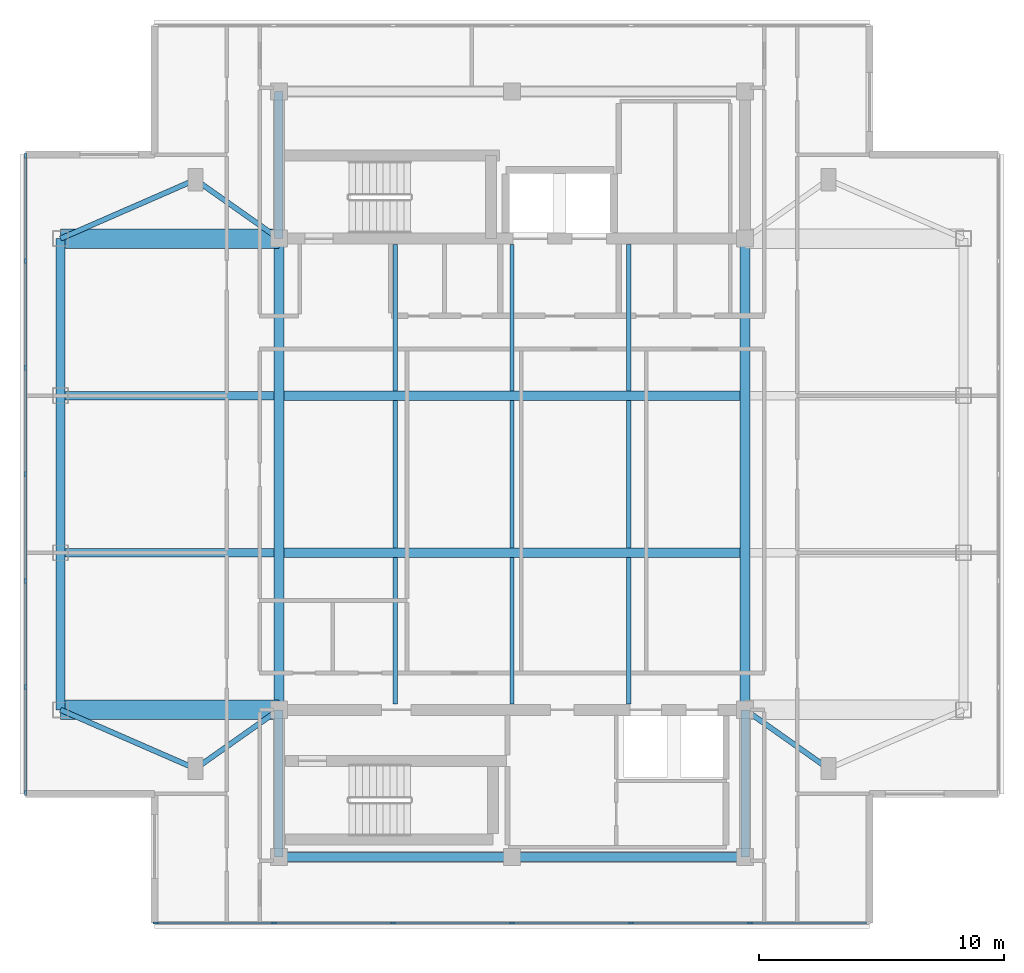
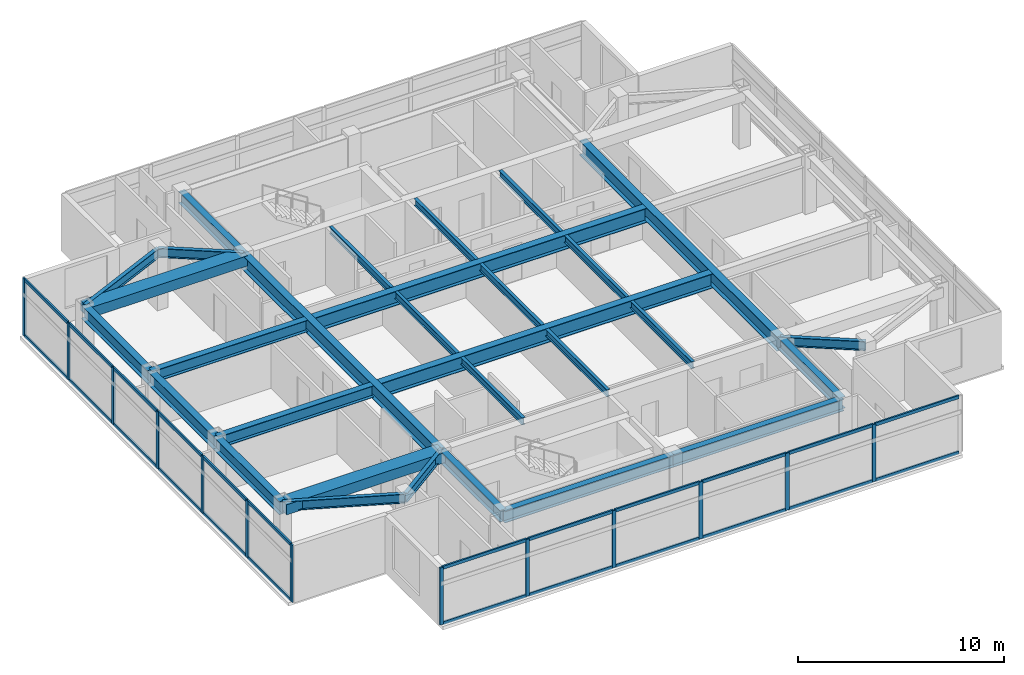
# One storey, part 2 of 10: 37 members, 30 beams, 2 elements without a shape of their own.
"""IFC4 building model written with IfcOpenShell, lengths in metres."""

from ifc_helpers import new_model, si_unit, direction, frame, origin, origin_2d, place, context, subcontext, project, spatial, rectangle, i_section, extrude, material, material_profile, profile_set, type_object, element, aggregate, save


model = new_model("IFC4")

# Units and contexts
model_context = context("Model", 3, precision=1e-05, world=origin(), true_north=direction((0.0, 1.0)))
body_context = subcontext(model_context, "Body", "Model", "MODEL_VIEW")
ifc_project = project(units=[si_unit("LENGTHUNIT", "METRE"), si_unit("AREAUNIT", "SQUARE_METRE"), si_unit("VOLUMEUNIT", "CUBIC_METRE"), si_unit("PLANEANGLEUNIT", "RADIAN"), si_unit("MASSUNIT", "GRAM", prefix="KILO")], contexts=[model_context])

# Site, building, storey
site_placement = place(None, origin())
site = spatial("IfcSite", under=ifc_project, at=site_placement, CompositionType="ELEMENT")
building_placement = place(site_placement, origin())
building = spatial("IfcBuilding", under=site, at=building_placement, Name="Mirazonda Arch Towers", CompositionType="ELEMENT")
storey_placement = place(building_placement, frame((0.0, 0.0, 249.10009765625)))
storey = spatial("IfcBuildingStorey", under=building, at=storey_placement, Name="L71", CompositionType="ELEMENT", Elevation=249.10009765625)

# Beams
ifc_material_1 = material(Name="Steel ASTM A992 Grade 50", Category="steel")
ifc_material_profile_1 = material_profile(ifc_material_1, i_section(OverallWidth=0.381103515625, OverallDepth=0.77294921875, WebThickness=0.0166015625, FlangeThickness=0.027099609375, at=origin_2d()), Name="W30X173")
ifc_profile_set_1 = profile_set([ifc_material_profile_1], Name="Steel ASTM A992 Grade 50")
beam_type_1 = type_object("IfcBeamType", Name="BM-EXT-W30X173", PredefinedType="USERDEFINED", material=ifc_profile_set_1)
beam_1_placement = place(storey_placement, frame((2.10009765625, 18.39990234375, 3.013427734375), z_axis=(0.0, 1.0, 0.0), x_axis=(-1.0, 0.0, 0.0)))
element("IfcBeam", 1, at=beam_1_placement, inside=storey, type_object=beam_type_1, Name="L71 Floor Beam BM-T1-L71-NS-W-18", ObjectType="GIRDER", PredefinedType="USERDEFINED", context=body_context, shape_type="SweptSolid", body=[
    extrude(i_section(OverallWidth=0.381103515625, OverallDepth=0.77294921875, WebThickness=0.0166015625, FlangeThickness=0.027099609375, at=origin_2d()), origin(), (0.0, 0.0, 1.0), 6.400146484375),
])
beam_2_placement = place(storey_placement, frame((2.10009765625, 24.800048828125, 3.013427734375), z_axis=(0.0, 1.0, 0.0), x_axis=(-1.0, 0.0, 0.0)))
element("IfcBeam", 2, at=beam_2_placement, inside=storey, type_object=beam_type_1, Name="L71 Floor Beam BM-T1-L71-NS-W-24", ObjectType="GIRDER", PredefinedType="USERDEFINED", context=body_context, shape_type="SweptSolid", body=[
    extrude(i_section(OverallWidth=0.381103515625, OverallDepth=0.77294921875, WebThickness=0.0166015625, FlangeThickness=0.027099609375, at=origin_2d()), origin(), (0.0, 0.0, 1.0), 6.39990234375),
])
beam_3_placement = place(storey_placement, frame((2.10009765625, 31.199951171875, 3.013427734375), z_axis=(0.0, 1.0, 0.0), x_axis=(-1.0, 0.0, 0.0)))
element("IfcBeam", 3, at=beam_3_placement, inside=storey, type_object=beam_type_1, Name="L71 Floor Beam BM-T1-L71-NS-W-31", ObjectType="GIRDER", PredefinedType="USERDEFINED", context=body_context, shape_type="SweptSolid", body=[
    extrude(i_section(OverallWidth=0.381103515625, OverallDepth=0.77294921875, WebThickness=0.0166015625, FlangeThickness=0.027099609375, at=origin_2d()), origin(), (0.0, 0.0, 1.0), 6.400146484375),
])
ifc_material_profile_2 = material_profile(ifc_material_1, i_section(OverallWidth=0.180908203125, OverallDepth=0.4169921875, WebThickness=0.010986328125, FlangeThickness=0.018310546875, at=origin_2d()), Name="W16X57")
ifc_profile_set_2 = profile_set([ifc_material_profile_2], Name="Steel ASTM A992 Grade 50")
beam_type_2 = type_object("IfcBeamType", Name="BM-INT-W16X57", PredefinedType="JOIST", material=ifc_profile_set_2)
for number, where, z_axis, x_axis, name in (
    (4, (15.75, 18.639892578125, 3.19140625), (0.0, 1.0, 0.0), (-1.0, 0.0, 0.0), "L71 Floor Beam BM-T1-L71-J-157-18"),
    (5, (15.75, 31.39599609375, 3.19140625), (0.0, 1.0, 0.0), (-1.0, 0.0, 0.0), "L71 Floor Beam BM-T1-L71-J-157-31"),
):
    element("IfcBeam", number, at=place(storey_placement, frame(where, z_axis=z_axis, x_axis=x_axis)), inside=storey, type_object=beam_type_2, Name=name, PredefinedType="JOIST", context=body_context, shape_type="SweptSolid", body=[
        extrude(i_section(OverallWidth=0.180908203125, OverallDepth=0.4169921875, WebThickness=0.010986328125, FlangeThickness=0.018310546875, at=origin_2d()), origin(), (0.0, 0.0, 1.0), 5.964111328125),
    ])
beam_4_placement = place(storey_placement, frame((15.75, 24.99609375, 3.19140625), z_axis=(0.0, 1.0, 0.0), x_axis=(-1.0, 0.0, 0.0)))
element("IfcBeam", 6, at=beam_4_placement, inside=storey, type_object=beam_type_2, Name="L71 Floor Beam BM-T1-L71-J-157-24", PredefinedType="JOIST", context=body_context, shape_type="SweptSolid", body=[
    extrude(i_section(OverallWidth=0.180908203125, OverallDepth=0.4169921875, WebThickness=0.010986328125, FlangeThickness=0.018310546875, at=origin_2d()), origin(), (0.0, 0.0, 1.0), 6.0078125),
])
for number, where, z_axis, x_axis, name in (
    (7, (20.5, 18.639892578125, 3.19140625), (0.0, 1.0, 0.0), (-1.0, 0.0, 0.0), "L71 Floor Beam BM-T1-L71-J-205-18"),
    (8, (20.5, 31.39599609375, 3.19140625), (0.0, 1.0, 0.0), (-1.0, 0.0, 0.0), "L71 Floor Beam BM-T1-L71-J-205-31"),
):
    element("IfcBeam", number, at=place(storey_placement, frame(where, z_axis=z_axis, x_axis=x_axis)), inside=storey, type_object=beam_type_2, Name=name, PredefinedType="JOIST", context=body_context, shape_type="SweptSolid", body=[
        extrude(i_section(OverallWidth=0.180908203125, OverallDepth=0.4169921875, WebThickness=0.010986328125, FlangeThickness=0.018310546875, at=origin_2d()), origin(), (0.0, 0.0, 1.0), 5.964111328125),
    ])
beam_5_placement = place(storey_placement, frame((20.5, 24.99609375, 3.19140625), z_axis=(0.0, 1.0, 0.0), x_axis=(-1.0, 0.0, 0.0)))
element("IfcBeam", 9, at=beam_5_placement, inside=storey, type_object=beam_type_2, Name="L71 Floor Beam BM-T1-L71-J-205-24", PredefinedType="JOIST", context=body_context, shape_type="SweptSolid", body=[
    extrude(i_section(OverallWidth=0.180908203125, OverallDepth=0.4169921875, WebThickness=0.010986328125, FlangeThickness=0.018310546875, at=origin_2d()), origin(), (0.0, 0.0, 1.0), 6.0078125),
])
for number, where, z_axis, x_axis, name in (
    (10, (25.25, 18.639892578125, 3.19140625), (0.0, 1.0, 0.0), (-1.0, 0.0, 0.0), "L71 Floor Beam BM-T1-L71-J-252-18"),
    (11, (25.25, 31.39599609375, 3.19140625), (0.0, 1.0, 0.0), (-1.0, 0.0, 0.0), "L71 Floor Beam BM-T1-L71-J-252-31"),
):
    element("IfcBeam", number, at=place(storey_placement, frame(where, z_axis=z_axis, x_axis=x_axis)), inside=storey, type_object=beam_type_2, Name=name, PredefinedType="JOIST", context=body_context, shape_type="SweptSolid", body=[
        extrude(i_section(OverallWidth=0.180908203125, OverallDepth=0.4169921875, WebThickness=0.010986328125, FlangeThickness=0.018310546875, at=origin_2d()), origin(), (0.0, 0.0, 1.0), 5.964111328125),
    ])
beam_6_placement = place(storey_placement, frame((25.25, 24.99609375, 3.19140625), z_axis=(0.0, 1.0, 0.0), x_axis=(-1.0, 0.0, 0.0)))
element("IfcBeam", 12, at=beam_6_placement, inside=storey, type_object=beam_type_2, Name="L71 Floor Beam BM-T1-L71-J-252-24", PredefinedType="JOIST", context=body_context, shape_type="SweptSolid", body=[
    extrude(i_section(OverallWidth=0.180908203125, OverallDepth=0.4169921875, WebThickness=0.010986328125, FlangeThickness=0.018310546875, at=origin_2d()), origin(), (0.0, 0.0, 1.0), 6.0078125),
])
ifc_material_profile_3 = material_profile(ifc_material_1, i_section(OverallWidth=0.214111328125, OverallDepth=0.549072265625, WebThickness=0.0146484375, FlangeThickness=0.023681640625, at=origin_2d()), Name="W21X93")
ifc_profile_set_3 = profile_set([ifc_material_profile_3], Name="Steel ASTM A992 Grade 50")
beam_type_3 = type_object("IfcBeamType", Name="BM-INT-W21X93", PredefinedType="BEAM", material=ifc_profile_set_3)
beam_7_placement = place(storey_placement, frame((7.60009765625, 16.0, 3.12548828125), z_axis=(0.816971114901, 0.576678591087, 0.0), x_axis=(-0.576678591087, 0.816971114901, 0.0)))
element("IfcBeam", 13, at=beam_7_placement, inside=storey, type_object=beam_type_3, Name="L71 Floor Beam BM-T1-L71-PL-SW1", PredefinedType="BEAM", context=body_context, shape_type="SweptSolid", body=[
    extrude(i_section(OverallWidth=0.214111328125, OverallDepth=0.549072265625, WebThickness=0.0146484375, FlangeThickness=0.023681640625, at=origin_2d()), origin(), (0.0, 0.0, 1.0), 4.16162109375),
])
beam_8_placement = place(storey_placement, frame((7.60009765625, 16.0, 3.12548828125), z_axis=(-0.916545343703, 0.399930785183, 0.0), x_axis=(-0.399930785183, -0.916545343703, 0.0)))
element("IfcBeam", 14, at=beam_8_placement, inside=storey, type_object=beam_type_3, Name="L71 Floor Beam BM-T1-L71-PL-SW2", PredefinedType="BEAM", context=body_context, shape_type="SweptSolid", body=[
    extrude(i_section(OverallWidth=0.214111328125, OverallDepth=0.549072265625, WebThickness=0.0146484375, FlangeThickness=0.023681640625, at=origin_2d()), origin(), (0.0, 0.0, 1.0), 6.000732421875),
])
for number, where, z_axis, x_axis, name in (
    (15, (33.39990234375, 16.0, 3.12548828125), (-0.816971114901, 0.576678591087, 0.0), (-0.576678591087, -0.816971114901, 0.0), "L71 Floor Beam BM-T1-L71-PL-SE1"),
    (16, (7.60009765625, 40.0, 3.12548828125), (0.816971114901, -0.576678591087, 0.0), (0.576678591087, 0.816971114901, 0.0), "L71 Floor Beam BM-T1-L71-PL-NW1"),
):
    element("IfcBeam", number, at=place(storey_placement, frame(where, z_axis=z_axis, x_axis=x_axis)), inside=storey, type_object=beam_type_3, Name=name, PredefinedType="BEAM", context=body_context, shape_type="SweptSolid", body=[
        extrude(i_section(OverallWidth=0.214111328125, OverallDepth=0.549072265625, WebThickness=0.0146484375, FlangeThickness=0.023681640625, at=origin_2d()), origin(), (0.0, 0.0, 1.0), 4.16162109375),
    ])
beam_9_placement = place(storey_placement, frame((7.60009765625, 40.0, 3.12548828125), z_axis=(-0.916545343703, -0.399930785183, 0.0), x_axis=(0.399930785183, -0.916545343703, 0.0)))
element("IfcBeam", 17, at=beam_9_placement, inside=storey, type_object=beam_type_3, Name="L71 Floor Beam BM-T1-L71-PL-NW2", PredefinedType="BEAM", context=body_context, shape_type="SweptSolid", body=[
    extrude(i_section(OverallWidth=0.214111328125, OverallDepth=0.549072265625, WebThickness=0.0146484375, FlangeThickness=0.023681640625, at=origin_2d()), origin(), (0.0, 0.0, 1.0), 6.000732421875),
])
ifc_material_profile_4 = material_profile(ifc_material_1, i_section(OverallWidth=0.35498046875, OverallDepth=0.696044921875, WebThickness=0.015380859375, FlangeThickness=0.02490234375, at=origin_2d()), Name="W27X146")
ifc_profile_set_4 = profile_set([ifc_material_profile_4], Name="Steel ASTM A992 Grade 50")
beam_type_4 = type_object("IfcBeamType", Name="BM-INT-W27X146", PredefinedType="BEAM", material=ifc_profile_set_4)
for number, where, z_axis, x_axis, name in (
    (18, (2.10009765625, 24.800048828125, 3.052001953125), (1.0, 0.0, 0.0), (0.0, 1.0, 0.0), "L71 Floor Beam BM-T1-L71-GW2"),
    (19, (2.10009765625, 31.199951171875, 3.052001953125), (1.0, 0.0, 0.0), (0.0, 1.0, 0.0), "L71 Floor Beam BM-T1-L71-GW3"),
):
    element("IfcBeam", number, at=place(storey_placement, frame(where, z_axis=z_axis, x_axis=x_axis)), inside=storey, type_object=beam_type_4, Name=name, PredefinedType="BEAM", context=body_context, shape_type="SweptSolid", body=[
        extrude(i_section(OverallWidth=0.35498046875, OverallDepth=0.696044921875, WebThickness=0.015380859375, FlangeThickness=0.02490234375, at=origin_2d()), origin(), (0.0, 0.0, 1.0), 8.699951171875),
    ])
for number, where, z_axis, x_axis, name in (
    (20, (11.0, 12.39990234375, 3.052001953125), (1.0, 0.0, 0.0), (0.0, 1.0, 0.0), "L71 Floor Beam BM-T1-L71-CS1"),
    (21, (20.5, 12.39990234375, 3.052001953125), (1.0, 0.0, 0.0), (0.0, 1.0, 0.0), "L71 Floor Beam BM-T1-L71-CS2"),
):
    element("IfcBeam", number, at=place(storey_placement, frame(where, z_axis=z_axis, x_axis=x_axis)), inside=storey, type_object=beam_type_4, Name=name, PredefinedType="BEAM", context=body_context, shape_type="SweptSolid", body=[
        extrude(i_section(OverallWidth=0.35498046875, OverallDepth=0.696044921875, WebThickness=0.015380859375, FlangeThickness=0.02490234375, at=origin_2d()), origin(), (0.0, 0.0, 1.0), 9.5),
    ])
for number, where, z_axis, x_axis, name in (
    (22, (11.0, 12.39990234375, 3.052001953125), (0.0, 1.0, 0.0), (-1.0, 0.0, 0.0), "L71 Floor Beam BM-T1-L71-CSW"),
    (23, (30.0, 12.39990234375, 3.052001953125), (0.0, 1.0, 0.0), (-1.0, 0.0, 0.0), "L71 Floor Beam BM-T1-L71-CSE"),
    (24, (11.0, 37.60009765625, 3.052001953125), (0.0, 1.0, 0.0), (-1.0, 0.0, 0.0), "L71 Floor Beam BM-T1-L71-CNW"),
):
    element("IfcBeam", number, at=place(storey_placement, frame(where, z_axis=z_axis, x_axis=x_axis)), inside=storey, type_object=beam_type_4, Name=name, PredefinedType="BEAM", context=body_context, shape_type="SweptSolid", body=[
        extrude(i_section(OverallWidth=0.35498046875, OverallDepth=0.696044921875, WebThickness=0.015380859375, FlangeThickness=0.02490234375, at=origin_2d()), origin(), (0.0, 0.0, 1.0), 6.0),
    ])
ifc_material_profile_5 = material_profile(ifc_material_1, i_section(OverallWidth=0.39990234375, OverallDepth=0.85595703125, WebThickness=0.018310546875, FlangeThickness=0.029296875, at=origin_2d()), Name="W33X201")
ifc_profile_set_5 = profile_set([ifc_material_profile_5], Name="Steel ASTM A992 Grade 50")
beam_type_5 = type_object("IfcBeamType", Name="BM-INT-W33X201", PredefinedType="USERDEFINED", material=ifc_profile_set_5)
for number, where, z_axis, x_axis, name in (
    (25, (11.199951171875, 24.800048828125, 2.971923828125), (1.0, 0.0, 0.0), (0.0, 1.0, 0.0), "L71 Floor Beam BM-T1-L71-GC2"),
    (26, (11.199951171875, 31.199951171875, 2.971923828125), (1.0, 0.0, 0.0), (0.0, 1.0, 0.0), "L71 Floor Beam BM-T1-L71-GC3"),
):
    element("IfcBeam", number, at=place(storey_placement, frame(where, z_axis=z_axis, x_axis=x_axis)), inside=storey, type_object=beam_type_5, Name=name, ObjectType="GIRDER", PredefinedType="USERDEFINED", context=body_context, shape_type="SweptSolid", body=[
        extrude(i_section(OverallWidth=0.39990234375, OverallDepth=0.85595703125, WebThickness=0.018310546875, FlangeThickness=0.029296875, at=origin_2d()), origin(), (0.0, 0.0, 1.0), 18.60009765625),
    ])
for number, where, z_axis, x_axis, name in (
    (27, (11.0, 18.39990234375, 2.971923828125), (0.0, 1.0, 0.0), (-1.0, 0.0, 0.0), "L71 Floor Beam BM-T1-L71-NS-CW-FULL"),
    (28, (30.0, 18.39990234375, 2.971923828125), (0.0, 1.0, 0.0), (-1.0, 0.0, 0.0), "L71 Floor Beam BM-T1-L71-NS-CE-FULL"),
):
    element("IfcBeam", number, at=place(storey_placement, frame(where, z_axis=z_axis, x_axis=x_axis)), inside=storey, type_object=beam_type_5, Name=name, ObjectType="GIRDER", PredefinedType="USERDEFINED", context=body_context, shape_type="SweptSolid", body=[
        extrude(i_section(OverallWidth=0.39990234375, OverallDepth=0.85595703125, WebThickness=0.018310546875, FlangeThickness=0.029296875, at=origin_2d()), origin(), (0.0, 0.0, 1.0), 19.2001953125),
    ])
ifc_material_2 = material(Name="Concrete C60/75", Category="concrete")
ifc_material_profile_6 = material_profile(ifc_material_2, rectangle(XDim=0.800048828125, YDim=0.60009765625, at=origin_2d()), Name="RCCB800x600")
ifc_profile_set_6 = profile_set([ifc_material_profile_6], Name="Concrete C60/75")
beam_type_6 = type_object("IfcBeamType", Name="CB-INT-RCCB800x600", PredefinedType="SPANDREL", material=ifc_profile_set_6)
for number, where, z_axis, x_axis, name in (
    (29, (2.10009765625, 37.60009765625, 3.099853515625), (1.0, 0.0, 0.0), (0.0, 1.0, 0.0), "L71 Floor Beam CBC-T1-L71-NW"),
    (30, (2.10009765625, 18.39990234375, 3.099853515625), (1.0, 0.0, 0.0), (0.0, 1.0, 0.0), "L71 Floor Beam CBC-T1-L71-SW"),
):
    element("IfcBeam", number, at=place(storey_placement, frame(where, z_axis=z_axis, x_axis=x_axis)), inside=storey, type_object=beam_type_6, Name=name, PredefinedType="SPANDREL", context=body_context, shape_type="SweptSolid", body=[
        extrude(rectangle(XDim=0.800048828125, YDim=0.60009765625, at=origin_2d()), origin(), (0.0, 0.0, 1.0), 8.89990234375),
    ])

# Curtain wall, members
ifc_material_3 = material(Name="Anodised Aluminium and Low-E Glass", Category="aluminium")
curtain_wall_type = type_object("IfcCurtainWallType", Name="CW-OBS-LANTERN", PredefinedType="NOTDEFINED", material=ifc_material_3)
curtain_wall_1_placement = place(storey_placement, origin())
curtain_wall_1 = element("IfcCurtainWall", 31, at=curtain_wall_1_placement, inside=storey, type_object=curtain_wall_type, Name="L71 T1 S Facade CW-L71-T1-S", PredefinedType="NOTDEFINED")
ifc_material_4 = material(Name="Anodised Aluminium Alloy", Category="aluminium")
ifc_material_profile_7 = material_profile(ifc_material_4, rectangle(XDim=0.090087890625, YDim=0.2099609375, at=origin_2d()), Name="ALU-MULL-90x210")
ifc_profile_set_7 = profile_set([ifc_material_profile_7], Name="Anodised Aluminium Alloy")
member_type_1 = type_object("IfcMemberType", Name="MULL-CW-OBS-LANTERN", PredefinedType="MULLION", material=ifc_profile_set_7)
member_1_placement = place(storey_placement, frame((30.2099609375, 9.7099609375, 0.0), z_axis=(0.0, 0.0, 1.0), x_axis=(0.0, -1.0, 0.0)))
member_1 = element("IfcMember", 32, at=member_1_placement, type_object=member_type_1, Name="CW-110 mullion 2", PredefinedType="MULLION", context=body_context, shape_type="SweptSolid", body=[
    extrude(rectangle(XDim=0.090087890625, YDim=0.2099609375, at=origin_2d()), origin(), (0.0, 0.0, 1.0), 3.3798828125),
])
member_2_placement = place(storey_placement, frame((25.35498046875, 9.7099609375, 0.0), z_axis=(0.0, 0.0, 1.0), x_axis=(0.0, -1.0, 0.0)))
member_2 = element("IfcMember", 33, at=member_2_placement, type_object=member_type_1, Name="CW-110 mullion 3", PredefinedType="MULLION", context=body_context, shape_type="SweptSolid", body=[
    extrude(rectangle(XDim=0.090087890625, YDim=0.2099609375, at=origin_2d()), origin(), (0.0, 0.0, 1.0), 3.3798828125),
])
member_3_placement = place(storey_placement, frame((20.5, 9.7099609375, 0.0), z_axis=(0.0, 0.0, 1.0), x_axis=(0.0, -1.0, 0.0)))
member_3 = element("IfcMember", 34, at=member_3_placement, type_object=member_type_1, Name="CW-110 mullion 4", PredefinedType="MULLION", context=body_context, shape_type="SweptSolid", body=[
    extrude(rectangle(XDim=0.090087890625, YDim=0.2099609375, at=origin_2d()), origin(), (0.0, 0.0, 1.0), 3.3798828125),
])
member_4_placement = place(storey_placement, frame((15.64501953125, 9.7099609375, 0.0), z_axis=(0.0, 0.0, 1.0), x_axis=(0.0, -1.0, 0.0)))
member_4 = element("IfcMember", 35, at=member_4_placement, type_object=member_type_1, Name="CW-110 mullion 5", PredefinedType="MULLION", context=body_context, shape_type="SweptSolid", body=[
    extrude(rectangle(XDim=0.090087890625, YDim=0.2099609375, at=origin_2d()), origin(), (0.0, 0.0, 1.0), 3.3798828125),
])
member_5_placement = place(storey_placement, frame((10.7900390625, 9.7099609375, 0.0), z_axis=(0.0, 0.0, 1.0), x_axis=(0.0, -1.0, 0.0)))
member_5 = element("IfcMember", 36, at=member_5_placement, type_object=member_type_1, Name="CW-110 mullion 6", PredefinedType="MULLION", context=body_context, shape_type="SweptSolid", body=[
    extrude(rectangle(XDim=0.090087890625, YDim=0.2099609375, at=origin_2d()), origin(), (0.0, 0.0, 1.0), 3.3798828125),
])
member_6_placement = place(storey_placement, frame((5.97998046875, 9.7099609375, 0.0), z_axis=(0.0, 0.0, 1.0), x_axis=(0.0, -1.0, 0.0)))
member_6 = element("IfcMember", 37, at=member_6_placement, type_object=member_type_1, Name="CW-110 mullion 7", PredefinedType="MULLION", context=body_context, shape_type="SweptSolid", body=[
    extrude(rectangle(XDim=0.090087890625, YDim=0.2099609375, at=origin_2d()), origin(), (0.0, 0.0, 1.0), 3.3798828125),
])

curtain_wall_2_placement = place(storey_placement, origin())
curtain_wall_2 = element("IfcCurtainWall", 38, at=curtain_wall_2_placement, inside=storey, type_object=curtain_wall_type, Name="L71 T1 W Facade CW-L71-T1-W", PredefinedType="NOTDEFINED")
member_7_placement = place(storey_placement, frame((0.669921875, 40.97998046875, 0.0), z_axis=(0.0, 0.0, 1.0), x_axis=(1.0, 0.0, 0.0)))
member_7 = element("IfcMember", 39, at=member_7_placement, type_object=member_type_1, Name="CW-110 mullion 1", PredefinedType="MULLION", context=body_context, shape_type="SweptSolid", body=[
    extrude(rectangle(XDim=0.090087890625, YDim=0.2099609375, at=origin_2d()), origin(), (0.0, 0.0, 1.0), 3.3798828125),
])
member_8_placement = place(storey_placement, frame((0.669921875, 36.683349609375, 0.0), z_axis=(0.0, 0.0, 1.0), x_axis=(1.0, 0.0, 0.0)))
member_8 = element("IfcMember", 40, at=member_8_placement, type_object=member_type_1, Name="CW-110 mullion 2", PredefinedType="MULLION", context=body_context, shape_type="SweptSolid", body=[
    extrude(rectangle(XDim=0.090087890625, YDim=0.2099609375, at=origin_2d()), origin(), (0.0, 0.0, 1.0), 3.3798828125),
])
member_9_placement = place(storey_placement, frame((0.669921875, 32.341552734375, 0.0), z_axis=(0.0, 0.0, 1.0), x_axis=(1.0, 0.0, 0.0)))
member_9 = element("IfcMember", 41, at=member_9_placement, type_object=member_type_1, Name="CW-110 mullion 3", PredefinedType="MULLION", context=body_context, shape_type="SweptSolid", body=[
    extrude(rectangle(XDim=0.090087890625, YDim=0.2099609375, at=origin_2d()), origin(), (0.0, 0.0, 1.0), 3.3798828125),
])
member_10_placement = place(storey_placement, frame((0.669921875, 28.0, 0.0), z_axis=(0.0, 0.0, 1.0), x_axis=(1.0, 0.0, 0.0)))
member_10 = element("IfcMember", 42, at=member_10_placement, type_object=member_type_1, Name="CW-110 mullion 4", PredefinedType="MULLION", context=body_context, shape_type="SweptSolid", body=[
    extrude(rectangle(XDim=0.090087890625, YDim=0.2099609375, at=origin_2d()), origin(), (0.0, 0.0, 1.0), 3.3798828125),
])
member_11_placement = place(storey_placement, frame((0.669921875, 23.658447265625, 0.0), z_axis=(0.0, 0.0, 1.0), x_axis=(1.0, 0.0, 0.0)))
member_11 = element("IfcMember", 43, at=member_11_placement, type_object=member_type_1, Name="CW-110 mullion 5", PredefinedType="MULLION", context=body_context, shape_type="SweptSolid", body=[
    extrude(rectangle(XDim=0.090087890625, YDim=0.2099609375, at=origin_2d()), origin(), (0.0, 0.0, 1.0), 3.3798828125),
])
member_12_placement = place(storey_placement, frame((0.669921875, 19.316650390625, 0.0), z_axis=(0.0, 0.0, 1.0), x_axis=(1.0, 0.0, 0.0)))
member_12 = element("IfcMember", 44, at=member_12_placement, type_object=member_type_1, Name="CW-110 mullion 6", PredefinedType="MULLION", context=body_context, shape_type="SweptSolid", body=[
    extrude(rectangle(XDim=0.090087890625, YDim=0.2099609375, at=origin_2d()), origin(), (0.0, 0.0, 1.0), 3.3798828125),
])
member_13_placement = place(storey_placement, frame((0.669921875, 15.02001953125, 0.0), z_axis=(0.0, 0.0, 1.0), x_axis=(1.0, 0.0, 0.0)))
member_13 = element("IfcMember", 45, at=member_13_placement, type_object=member_type_1, Name="CW-110 mullion 7", PredefinedType="MULLION", context=body_context, shape_type="SweptSolid", body=[
    extrude(rectangle(XDim=0.090087890625, YDim=0.2099609375, at=origin_2d()), origin(), (0.0, 0.0, 1.0), 3.3798828125),
])

# Member
ifc_material_profile_8 = material_profile(ifc_material_4, rectangle(XDim=0.090087890625, YDim=0.18994140625, at=origin_2d()), Name="ALU-TRAN-90x190")
ifc_profile_set_8 = profile_set([ifc_material_profile_8], Name="Anodised Aluminium Alloy")
member_type_2 = type_object("IfcMemberType", Name="TRAN-CW-OBS-LANTERN", PredefinedType="USERDEFINED", material=ifc_profile_set_8)
member_14_placement = place(storey_placement, frame((34.97509765625, 9.7099609375, 0.044921875), z_axis=(-1.0, 0.0, 0.0), x_axis=(0.0, -1.0, 0.0)))
member_14 = element("IfcMember", 46, at=member_14_placement, type_object=member_type_2, Name="CW-110 transom 1.1", ObjectType="TRANSOM", PredefinedType="USERDEFINED", context=body_context, shape_type="SweptSolid", body=[
    extrude(rectangle(XDim=0.090087890625, YDim=0.18994140625, at=origin_2d()), origin(), (0.0, 0.0, 1.0), 4.72021484375),
])

member_15_placement = place(storey_placement, frame((34.97509765625, 9.7099609375, 3.3349609375), z_axis=(-1.0, 0.0, 0.0), x_axis=(0.0, -1.0, 0.0)))
member_15 = element("IfcMember", 47, at=member_15_placement, type_object=member_type_2, Name="CW-110 transom 1.2", ObjectType="TRANSOM", PredefinedType="USERDEFINED", context=body_context, shape_type="SweptSolid", body=[
    extrude(rectangle(XDim=0.090087890625, YDim=0.18994140625, at=origin_2d()), origin(), (0.0, 0.0, 1.0), 4.72021484375),
])

member_16_placement = place(storey_placement, frame((30.1650390625, 9.7099609375, 0.044921875), z_axis=(-1.0, 0.0, 0.0), x_axis=(0.0, -1.0, 0.0)))
member_16 = element("IfcMember", 48, at=member_16_placement, type_object=member_type_2, Name="CW-110 transom 2.1", ObjectType="TRANSOM", PredefinedType="USERDEFINED", context=body_context, shape_type="SweptSolid", body=[
    extrude(rectangle(XDim=0.090087890625, YDim=0.18994140625, at=origin_2d()), origin(), (0.0, 0.0, 1.0), 4.76513671875),
])

member_17_placement = place(storey_placement, frame((30.1650390625, 9.7099609375, 3.3349609375), z_axis=(-1.0, 0.0, 0.0), x_axis=(0.0, -1.0, 0.0)))
member_17 = element("IfcMember", 49, at=member_17_placement, type_object=member_type_2, Name="CW-110 transom 2.2", ObjectType="TRANSOM", PredefinedType="USERDEFINED", context=body_context, shape_type="SweptSolid", body=[
    extrude(rectangle(XDim=0.090087890625, YDim=0.18994140625, at=origin_2d()), origin(), (0.0, 0.0, 1.0), 4.76513671875),
])

member_18_placement = place(storey_placement, frame((25.31005859375, 9.7099609375, 0.044921875), z_axis=(-1.0, 0.0, 0.0), x_axis=(0.0, -1.0, 0.0)))
member_18 = element("IfcMember", 50, at=member_18_placement, type_object=member_type_2, Name="CW-110 transom 3.1", ObjectType="TRANSOM", PredefinedType="USERDEFINED", context=body_context, shape_type="SweptSolid", body=[
    extrude(rectangle(XDim=0.090087890625, YDim=0.18994140625, at=origin_2d()), origin(), (0.0, 0.0, 1.0), 4.76513671875),
])

member_19_placement = place(storey_placement, frame((25.31005859375, 9.7099609375, 3.3349609375), z_axis=(-1.0, 0.0, 0.0), x_axis=(0.0, -1.0, 0.0)))
member_19 = element("IfcMember", 51, at=member_19_placement, type_object=member_type_2, Name="CW-110 transom 3.2", ObjectType="TRANSOM", PredefinedType="USERDEFINED", context=body_context, shape_type="SweptSolid", body=[
    extrude(rectangle(XDim=0.090087890625, YDim=0.18994140625, at=origin_2d()), origin(), (0.0, 0.0, 1.0), 4.76513671875),
])

member_20_placement = place(storey_placement, frame((20.455078125, 9.7099609375, 0.044921875), z_axis=(-1.0, 0.0, 0.0), x_axis=(0.0, -1.0, 0.0)))
member_20 = element("IfcMember", 52, at=member_20_placement, type_object=member_type_2, Name="CW-110 transom 4.1", ObjectType="TRANSOM", PredefinedType="USERDEFINED", context=body_context, shape_type="SweptSolid", body=[
    extrude(rectangle(XDim=0.090087890625, YDim=0.18994140625, at=origin_2d()), origin(), (0.0, 0.0, 1.0), 4.76513671875),
])

member_21_placement = place(storey_placement, frame((20.455078125, 9.7099609375, 3.3349609375), z_axis=(-1.0, 0.0, 0.0), x_axis=(0.0, -1.0, 0.0)))
member_21 = element("IfcMember", 53, at=member_21_placement, type_object=member_type_2, Name="CW-110 transom 4.2", ObjectType="TRANSOM", PredefinedType="USERDEFINED", context=body_context, shape_type="SweptSolid", body=[
    extrude(rectangle(XDim=0.090087890625, YDim=0.18994140625, at=origin_2d()), origin(), (0.0, 0.0, 1.0), 4.76513671875),
])

member_22_placement = place(storey_placement, frame((15.60009765625, 9.7099609375, 0.044921875), z_axis=(-1.0, 0.0, 0.0), x_axis=(0.0, -1.0, 0.0)))
member_22 = element("IfcMember", 54, at=member_22_placement, type_object=member_type_2, Name="CW-110 transom 5.1", ObjectType="TRANSOM", PredefinedType="USERDEFINED", context=body_context, shape_type="SweptSolid", body=[
    extrude(rectangle(XDim=0.090087890625, YDim=0.18994140625, at=origin_2d()), origin(), (0.0, 0.0, 1.0), 4.76513671875),
])

member_23_placement = place(storey_placement, frame((15.60009765625, 9.7099609375, 3.3349609375), z_axis=(-1.0, 0.0, 0.0), x_axis=(0.0, -1.0, 0.0)))
member_23 = element("IfcMember", 55, at=member_23_placement, type_object=member_type_2, Name="CW-110 transom 5.2", ObjectType="TRANSOM", PredefinedType="USERDEFINED", context=body_context, shape_type="SweptSolid", body=[
    extrude(rectangle(XDim=0.090087890625, YDim=0.18994140625, at=origin_2d()), origin(), (0.0, 0.0, 1.0), 4.76513671875),
])

member_24_placement = place(storey_placement, frame((10.7451171875, 9.7099609375, 0.044921875), z_axis=(-1.0, 0.0, 0.0), x_axis=(0.0, -1.0, 0.0)))
member_24 = element("IfcMember", 56, at=member_24_placement, type_object=member_type_2, Name="CW-110 transom 6.1", ObjectType="TRANSOM", PredefinedType="USERDEFINED", context=body_context, shape_type="SweptSolid", body=[
    extrude(rectangle(XDim=0.090087890625, YDim=0.18994140625, at=origin_2d()), origin(), (0.0, 0.0, 1.0), 4.72021484375),
])

member_25_placement = place(storey_placement, frame((10.7451171875, 9.7099609375, 3.3349609375), z_axis=(-1.0, 0.0, 0.0), x_axis=(0.0, -1.0, 0.0)))
member_25 = element("IfcMember", 57, at=member_25_placement, type_object=member_type_2, Name="CW-110 transom 6.2", ObjectType="TRANSOM", PredefinedType="USERDEFINED", context=body_context, shape_type="SweptSolid", body=[
    extrude(rectangle(XDim=0.090087890625, YDim=0.18994140625, at=origin_2d()), origin(), (0.0, 0.0, 1.0), 4.72021484375),
])

aggregate(curtain_wall_1, [member_1, member_2, member_3, member_4, member_5, member_6, member_14, member_15, member_16, member_17, member_18, member_19, member_20, member_21, member_22, member_23, member_24, member_25])

member_26_placement = place(storey_placement, frame((0.669921875, 40.93505859375, 0.044921875), z_axis=(0.0, -1.0, 0.0), x_axis=(1.0, 0.0, 0.0)))
member_26 = element("IfcMember", 58, at=member_26_placement, type_object=member_type_2, Name="CW-110 transom 1.1", ObjectType="TRANSOM", PredefinedType="USERDEFINED", context=body_context, shape_type="SweptSolid", body=[
    extrude(rectangle(XDim=0.090087890625, YDim=0.18994140625, at=origin_2d()), origin(), (0.0, 0.0, 1.0), 4.206787109375),
])

member_27_placement = place(storey_placement, frame((0.669921875, 40.93505859375, 3.3349609375), z_axis=(0.0, -1.0, 0.0), x_axis=(1.0, 0.0, 0.0)))
member_27 = element("IfcMember", 59, at=member_27_placement, type_object=member_type_2, Name="CW-110 transom 1.2", ObjectType="TRANSOM", PredefinedType="USERDEFINED", context=body_context, shape_type="SweptSolid", body=[
    extrude(rectangle(XDim=0.090087890625, YDim=0.18994140625, at=origin_2d()), origin(), (0.0, 0.0, 1.0), 4.206787109375),
])

member_28_placement = place(storey_placement, frame((0.669921875, 36.638427734375, 0.044921875), z_axis=(0.0, -1.0, 0.0), x_axis=(1.0, 0.0, 0.0)))
member_28 = element("IfcMember", 60, at=member_28_placement, type_object=member_type_2, Name="CW-110 transom 2.1", ObjectType="TRANSOM", PredefinedType="USERDEFINED", context=body_context, shape_type="SweptSolid", body=[
    extrude(rectangle(XDim=0.090087890625, YDim=0.18994140625, at=origin_2d()), origin(), (0.0, 0.0, 1.0), 4.251708984375),
])

member_29_placement = place(storey_placement, frame((0.669921875, 36.638427734375, 3.3349609375), z_axis=(0.0, -1.0, 0.0), x_axis=(1.0, 0.0, 0.0)))
member_29 = element("IfcMember", 61, at=member_29_placement, type_object=member_type_2, Name="CW-110 transom 2.2", ObjectType="TRANSOM", PredefinedType="USERDEFINED", context=body_context, shape_type="SweptSolid", body=[
    extrude(rectangle(XDim=0.090087890625, YDim=0.18994140625, at=origin_2d()), origin(), (0.0, 0.0, 1.0), 4.251708984375),
])

member_30_placement = place(storey_placement, frame((0.669921875, 32.296630859375, 0.044921875), z_axis=(0.0, -1.0, 0.0), x_axis=(1.0, 0.0, 0.0)))
member_30 = element("IfcMember", 62, at=member_30_placement, type_object=member_type_2, Name="CW-110 transom 3.1", ObjectType="TRANSOM", PredefinedType="USERDEFINED", context=body_context, shape_type="SweptSolid", body=[
    extrude(rectangle(XDim=0.090087890625, YDim=0.18994140625, at=origin_2d()), origin(), (0.0, 0.0, 1.0), 4.251708984375),
])

member_31_placement = place(storey_placement, frame((0.669921875, 32.296630859375, 3.3349609375), z_axis=(0.0, -1.0, 0.0), x_axis=(1.0, 0.0, 0.0)))
member_31 = element("IfcMember", 63, at=member_31_placement, type_object=member_type_2, Name="CW-110 transom 3.2", ObjectType="TRANSOM", PredefinedType="USERDEFINED", context=body_context, shape_type="SweptSolid", body=[
    extrude(rectangle(XDim=0.090087890625, YDim=0.18994140625, at=origin_2d()), origin(), (0.0, 0.0, 1.0), 4.251708984375),
])

member_32_placement = place(storey_placement, frame((0.669921875, 27.955078125, 0.044921875), z_axis=(0.0, -1.0, 0.0), x_axis=(1.0, 0.0, 0.0)))
member_32 = element("IfcMember", 64, at=member_32_placement, type_object=member_type_2, Name="CW-110 transom 4.1", ObjectType="TRANSOM", PredefinedType="USERDEFINED", context=body_context, shape_type="SweptSolid", body=[
    extrude(rectangle(XDim=0.090087890625, YDim=0.18994140625, at=origin_2d()), origin(), (0.0, 0.0, 1.0), 4.251708984375),
])

member_33_placement = place(storey_placement, frame((0.669921875, 27.955078125, 3.3349609375), z_axis=(0.0, -1.0, 0.0), x_axis=(1.0, 0.0, 0.0)))
member_33 = element("IfcMember", 65, at=member_33_placement, type_object=member_type_2, Name="CW-110 transom 4.2", ObjectType="TRANSOM", PredefinedType="USERDEFINED", context=body_context, shape_type="SweptSolid", body=[
    extrude(rectangle(XDim=0.090087890625, YDim=0.18994140625, at=origin_2d()), origin(), (0.0, 0.0, 1.0), 4.251708984375),
])

member_34_placement = place(storey_placement, frame((0.669921875, 23.61328125, 0.044921875), z_axis=(0.0, -1.0, 0.0), x_axis=(1.0, 0.0, 0.0)))
member_34 = element("IfcMember", 66, at=member_34_placement, type_object=member_type_2, Name="CW-110 transom 5.1", ObjectType="TRANSOM", PredefinedType="USERDEFINED", context=body_context, shape_type="SweptSolid", body=[
    extrude(rectangle(XDim=0.090087890625, YDim=0.18994140625, at=origin_2d()), origin(), (0.0, 0.0, 1.0), 4.251708984375),
])

member_35_placement = place(storey_placement, frame((0.669921875, 23.61328125, 3.3349609375), z_axis=(0.0, -1.0, 0.0), x_axis=(1.0, 0.0, 0.0)))
member_35 = element("IfcMember", 67, at=member_35_placement, type_object=member_type_2, Name="CW-110 transom 5.2", ObjectType="TRANSOM", PredefinedType="USERDEFINED", context=body_context, shape_type="SweptSolid", body=[
    extrude(rectangle(XDim=0.090087890625, YDim=0.18994140625, at=origin_2d()), origin(), (0.0, 0.0, 1.0), 4.251708984375),
])

member_36_placement = place(storey_placement, frame((0.669921875, 19.271728515625, 0.044921875), z_axis=(0.0, -1.0, 0.0), x_axis=(1.0, 0.0, 0.0)))
member_36 = element("IfcMember", 68, at=member_36_placement, type_object=member_type_2, Name="CW-110 transom 6.1", ObjectType="TRANSOM", PredefinedType="USERDEFINED", context=body_context, shape_type="SweptSolid", body=[
    extrude(rectangle(XDim=0.090087890625, YDim=0.18994140625, at=origin_2d()), origin(), (0.0, 0.0, 1.0), 4.206787109375),
])

member_37_placement = place(storey_placement, frame((0.669921875, 19.271728515625, 3.3349609375), z_axis=(0.0, -1.0, 0.0), x_axis=(1.0, 0.0, 0.0)))
member_37 = element("IfcMember", 69, at=member_37_placement, type_object=member_type_2, Name="CW-110 transom 6.2", ObjectType="TRANSOM", PredefinedType="USERDEFINED", context=body_context, shape_type="SweptSolid", body=[
    extrude(rectangle(XDim=0.090087890625, YDim=0.18994140625, at=origin_2d()), origin(), (0.0, 0.0, 1.0), 4.206787109375),
])

aggregate(curtain_wall_2, [member_7, member_8, member_9, member_10, member_11, member_12, member_13, member_26, member_27, member_28, member_29, member_30, member_31, member_32, member_33, member_34, member_35, member_36, member_37])

save(model, "model.ifc")
